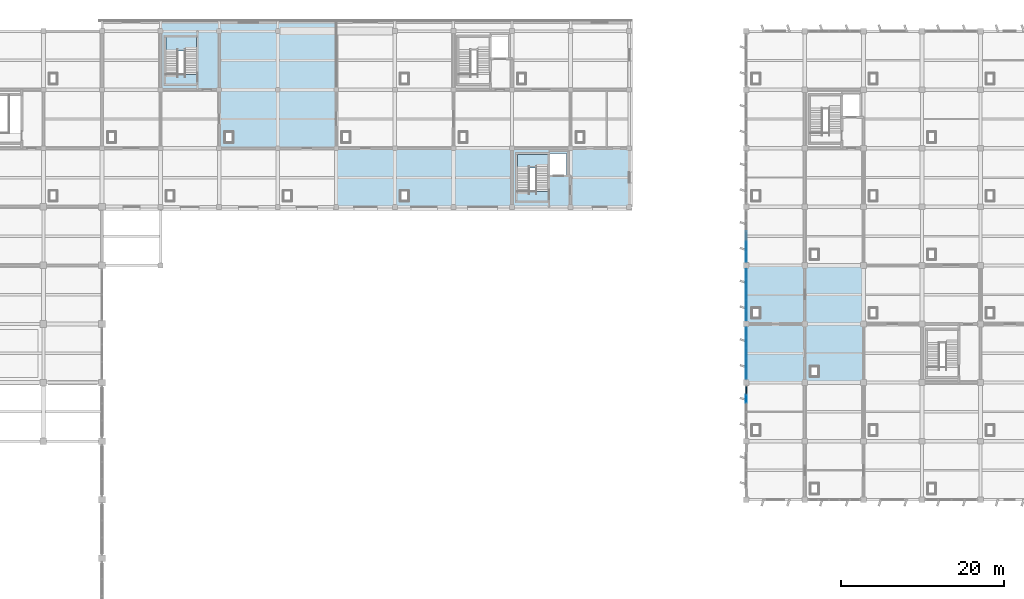
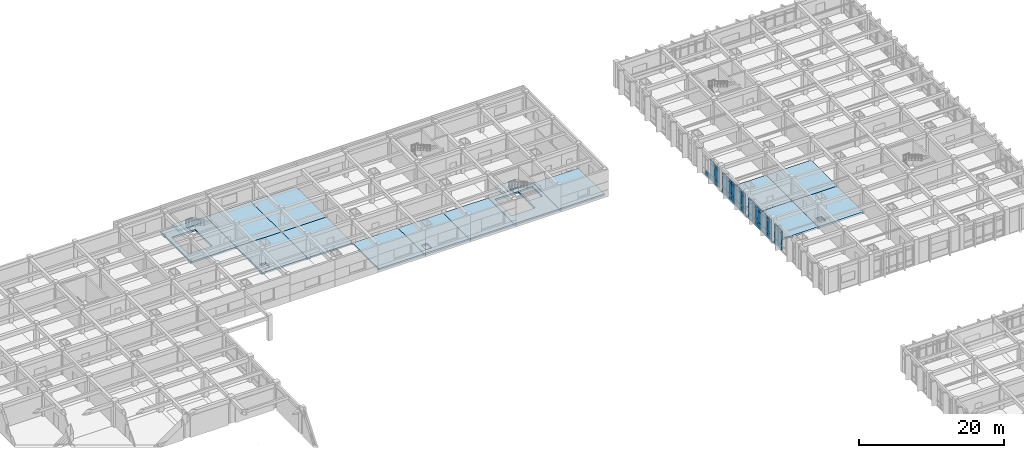
# One storey, part 39 of 70: 43 plates, 16 slabs, 6 elements without a shape of their own.
"""IFC4 building model written with IfcOpenShell, lengths in metres."""

from ifc_helpers import new_model, si_unit, direction, frame, origin, origin_2d, place, context, subcontext, project, spatial, polyline, rectangle, outline, extrude, material, layer, layer_set, type_object, element, aggregate, save


model = new_model("IFC4")

# Units and contexts
model_context = context("Model", 3, precision=1e-05, world=origin(), true_north=direction((0.0, 1.0)))
body_context = subcontext(model_context, "Body", "Model", "MODEL_VIEW")
ifc_project = project(units=[si_unit("LENGTHUNIT", "METRE"), si_unit("AREAUNIT", "SQUARE_METRE"), si_unit("VOLUMEUNIT", "CUBIC_METRE"), si_unit("PLANEANGLEUNIT", "RADIAN"), si_unit("MASSUNIT", "GRAM", prefix="KILO")], contexts=[model_context])

# Site, building, storey
site_placement = place(None, origin())
site = spatial("IfcSite", under=ifc_project, at=site_placement, CompositionType="ELEMENT")
building_placement = place(site_placement, origin())
building = spatial("IfcBuilding", under=site, at=building_placement, Name="Kavelor Marine Aquarium", CompositionType="ELEMENT")
storey_placement = place(building_placement, frame((0.0, 0.0, 9.179931640625)))
storey = spatial("IfcBuildingStorey", under=building, at=storey_placement, Name="L02", CompositionType="ELEMENT", Elevation=9.179931640625)

# Curtain wall, plates
ifc_material_1 = material(Name="Thermally Broken Aluminium and Low-E Glass", Category="aluminium")
ifc_layer_1 = layer(ifc_material_1, 0.179931640625)
ifc_layer_set_1 = layer_set([ifc_layer_1], Name="CW-SYS5")
curtain_wall_type_1 = type_object("IfcCurtainWallType", Name="CW-SYS5", PredefinedType="USERDEFINED", material=ifc_layer_set_1)
curtain_wall_1_placement = place(storey_placement, origin())
curtain_wall_1 = element("IfcCurtainWall", 1, at=curtain_wall_1_placement, inside=storey, type_object=curtain_wall_type_1, Name="cw:y:L02:16_08", ObjectType="Curtain Wall", PredefinedType="USERDEFINED")
ifc_material_2 = material(Name="Solar-Control Double Low-E Glazing", Category="glass")
ifc_layer_2 = layer(ifc_material_2, 0.08203125)
ifc_layer_set_2 = layer_set([ifc_layer_2], Name="CWP-29")
plate_type_1 = type_object("IfcPlateType", Name="CWP-29", PredefinedType="CURTAIN_PANEL", material=ifc_layer_set_2)
plate_1_placement = place(storey_placement, frame((118.39990234375, 66.654541015625, 0.06005859375), z_axis=(0.0, 0.0, 1.0), x_axis=(0.0, -1.0, 0.0)))
plate_1 = element("IfcPlate", 2, at=plate_1_placement, type_object=plate_type_1, Name="CW05 panel 1.1", PredefinedType="CURTAIN_PANEL", context=body_context, shape_type="SweptSolid", body=[
    extrude(rectangle(XDim=0.970947265625, YDim=0.08203125, at=origin_2d()), origin(), (0.0, 0.0, 1.0), 0.81005859375),
])
plate_2_placement = place(storey_placement, frame((118.39990234375, 66.654541015625, 0.929931640625), z_axis=(0.0, 0.0, 1.0), x_axis=(0.0, -1.0, 0.0)))
plate_2 = element("IfcPlate", 3, at=plate_2_placement, type_object=plate_type_1, Name="CW05 panel 1.2", PredefinedType="CURTAIN_PANEL", context=body_context, shape_type="SweptSolid", body=[
    extrude(rectangle(XDim=0.970947265625, YDim=0.08203125, at=origin_2d()), origin(), (0.0, 0.0, 1.0), 1.85009765625),
])
plate_3_placement = place(storey_placement, frame((118.39990234375, 66.654541015625, 2.840087890625), z_axis=(0.0, 0.0, 1.0), x_axis=(0.0, -1.0, 0.0)))
plate_3 = element("IfcPlate", 4, at=plate_3_placement, type_object=plate_type_1, Name="CW05 panel 1.3", PredefinedType="CURTAIN_PANEL", context=body_context, shape_type="SweptSolid", body=[
    extrude(rectangle(XDim=0.970947265625, YDim=0.08203125, at=origin_2d()), origin(), (0.0, 0.0, 1.0), 0.56005859375),
])
plate_4_placement = place(storey_placement, frame((118.39990234375, 65.6025390625, 0.06005859375), z_axis=(0.0, 0.0, 1.0), x_axis=(0.0, -1.0, 0.0)))
plate_4 = element("IfcPlate", 5, at=plate_4_placement, type_object=plate_type_1, Name="CW05 panel 2.1", PredefinedType="CURTAIN_PANEL", context=body_context, shape_type="SweptSolid", body=[
    extrude(rectangle(XDim=1.00341796875, YDim=0.08203125, at=origin_2d()), origin(), (0.0, 0.0, 1.0), 0.81005859375),
])
plate_5_placement = place(storey_placement, frame((118.39990234375, 65.6025390625, 0.929931640625), z_axis=(0.0, 0.0, 1.0), x_axis=(0.0, -1.0, 0.0)))
plate_5 = element("IfcPlate", 6, at=plate_5_placement, type_object=plate_type_1, Name="CW05 panel 2.2", PredefinedType="CURTAIN_PANEL", context=body_context, shape_type="SweptSolid", body=[
    extrude(rectangle(XDim=1.00341796875, YDim=0.08203125, at=origin_2d()), origin(), (0.0, 0.0, 1.0), 1.85009765625),
])
plate_6_placement = place(storey_placement, frame((118.39990234375, 65.6025390625, 2.840087890625), z_axis=(0.0, 0.0, 1.0), x_axis=(0.0, -1.0, 0.0)))
plate_6 = element("IfcPlate", 7, at=plate_6_placement, type_object=plate_type_1, Name="CW05 panel 2.3", PredefinedType="CURTAIN_PANEL", context=body_context, shape_type="SweptSolid", body=[
    extrude(rectangle(XDim=1.00341796875, YDim=0.08203125, at=origin_2d()), origin(), (0.0, 0.0, 1.0), 0.56005859375),
])
aggregate(curtain_wall_1, [plate_1, plate_2, plate_3, plate_4, plate_5, plate_6])

ifc_material_3 = material(Name="Thermally Broken Aluminium and Low-E Glass", Category="aluminium")
ifc_layer_3 = layer(ifc_material_3, 0.18798828125)
ifc_layer_set_3 = layer_set([ifc_layer_3], Name="CW-SYS6")
curtain_wall_type_2 = type_object("IfcCurtainWallType", Name="CW-SYS6", PredefinedType="USERDEFINED", material=ifc_layer_set_3)
curtain_wall_2_placement = place(storey_placement, origin())
curtain_wall_2 = element("IfcCurtainWall", 8, at=curtain_wall_2_placement, inside=storey, type_object=curtain_wall_type_2, Name="cw:y:L02:16_09", ObjectType="Curtain Wall", PredefinedType="USERDEFINED")
ifc_material_4 = material(Name="Solar-Control Double Low-E Glazing", Category="glass")
ifc_layer_4 = layer(ifc_material_4, 0.083984375)
ifc_layer_set_4 = layer_set([ifc_layer_4], Name="CWP-30")
plate_type_2 = type_object("IfcPlateType", Name="CWP-30", PredefinedType="CURTAIN_PANEL", material=ifc_layer_set_4)
plate_7_placement = place(storey_placement, frame((118.39990234375, 73.7490234375, 0.074951171875), z_axis=(0.0, 0.0, 1.0), x_axis=(0.0, -1.0, 0.0)))
plate_7 = element("IfcPlate", 9, at=plate_7_placement, type_object=plate_type_2, Name="CW06 panel 1.1", PredefinedType="CURTAIN_PANEL", context=body_context, shape_type="SweptSolid", body=[
    extrude(rectangle(XDim=1.19189453125, YDim=0.083984375, at=origin_2d()), origin(), (0.0, 0.0, 1.0), 0.78759765625),
])
plate_8_placement = place(storey_placement, frame((118.39990234375, 73.7490234375, 0.9375), z_axis=(0.0, 0.0, 1.0), x_axis=(0.0, -1.0, 0.0)))
plate_8 = element("IfcPlate", 10, at=plate_8_placement, type_object=plate_type_2, Name="CW06 panel 1.2", PredefinedType="CURTAIN_PANEL", context=body_context, shape_type="SweptSolid", body=[
    extrude(rectangle(XDim=1.19189453125, YDim=0.083984375, at=origin_2d()), origin(), (0.0, 0.0, 1.0), 1.85498046875),
])
plate_9_placement = place(storey_placement, frame((118.39990234375, 73.7490234375, 2.867431640625), z_axis=(0.0, 0.0, 1.0), x_axis=(0.0, -1.0, 0.0)))
plate_9 = element("IfcPlate", 11, at=plate_9_placement, type_object=plate_type_2, Name="CW06 panel 1.3", PredefinedType="CURTAIN_PANEL", context=body_context, shape_type="SweptSolid", body=[
    extrude(rectangle(XDim=1.19189453125, YDim=0.083984375, at=origin_2d()), origin(), (0.0, 0.0, 1.0), 0.53759765625),
])
plate_10_placement = place(storey_placement, frame((118.39990234375, 72.48193359375, 0.074951171875), z_axis=(0.0, 0.0, 1.0), x_axis=(0.0, -1.0, 0.0)))
plate_10 = element("IfcPlate", 12, at=plate_10_placement, type_object=plate_type_2, Name="CW06 panel 2.1", PredefinedType="CURTAIN_PANEL", context=body_context, shape_type="SweptSolid", body=[
    extrude(rectangle(XDim=1.221923828125, YDim=0.083984375, at=origin_2d()), origin(), (0.0, 0.0, 1.0), 0.78759765625),
])
plate_11_placement = place(storey_placement, frame((118.39990234375, 72.48193359375, 0.9375), z_axis=(0.0, 0.0, 1.0), x_axis=(0.0, -1.0, 0.0)))
plate_11 = element("IfcPlate", 13, at=plate_11_placement, type_object=plate_type_2, Name="CW06 panel 2.2", PredefinedType="CURTAIN_PANEL", context=body_context, shape_type="SweptSolid", body=[
    extrude(rectangle(XDim=1.221923828125, YDim=0.083984375, at=origin_2d()), origin(), (0.0, 0.0, 1.0), 1.85498046875),
])
plate_12_placement = place(storey_placement, frame((118.39990234375, 72.48193359375, 2.867431640625), z_axis=(0.0, 0.0, 1.0), x_axis=(0.0, -1.0, 0.0)))
plate_12 = element("IfcPlate", 14, at=plate_12_placement, type_object=plate_type_2, Name="CW06 panel 2.3", PredefinedType="CURTAIN_PANEL", context=body_context, shape_type="SweptSolid", body=[
    extrude(rectangle(XDim=1.221923828125, YDim=0.083984375, at=origin_2d()), origin(), (0.0, 0.0, 1.0), 0.53759765625),
])
plate_13_placement = place(storey_placement, frame((118.39990234375, 71.199951171875, 0.074951171875), z_axis=(0.0, 0.0, 1.0), x_axis=(0.0, -1.0, 0.0)))
plate_13 = element("IfcPlate", 15, at=plate_13_placement, type_object=plate_type_2, Name="CW06 panel 3.1", PredefinedType="CURTAIN_PANEL", context=body_context, shape_type="SweptSolid", body=[
    extrude(rectangle(XDim=1.221923828125, YDim=0.083984375, at=origin_2d()), origin(), (0.0, 0.0, 1.0), 0.78759765625),
])
plate_14_placement = place(storey_placement, frame((118.39990234375, 71.199951171875, 0.9375), z_axis=(0.0, 0.0, 1.0), x_axis=(0.0, -1.0, 0.0)))
plate_14 = element("IfcPlate", 16, at=plate_14_placement, type_object=plate_type_2, Name="CW06 panel 3.2", PredefinedType="CURTAIN_PANEL", context=body_context, shape_type="SweptSolid", body=[
    extrude(rectangle(XDim=1.221923828125, YDim=0.083984375, at=origin_2d()), origin(), (0.0, 0.0, 1.0), 1.85498046875),
])
plate_15_placement = place(storey_placement, frame((118.39990234375, 71.199951171875, 2.867431640625), z_axis=(0.0, 0.0, 1.0), x_axis=(0.0, -1.0, 0.0)))
plate_15 = element("IfcPlate", 17, at=plate_15_placement, type_object=plate_type_2, Name="CW06 panel 3.3", PredefinedType="CURTAIN_PANEL", context=body_context, shape_type="SweptSolid", body=[
    extrude(rectangle(XDim=1.221923828125, YDim=0.083984375, at=origin_2d()), origin(), (0.0, 0.0, 1.0), 0.53759765625),
])
plate_16_placement = place(storey_placement, frame((118.39990234375, 69.91796875, 0.074951171875), z_axis=(0.0, 0.0, 1.0), x_axis=(0.0, -1.0, 0.0)))
plate_16 = element("IfcPlate", 18, at=plate_16_placement, type_object=plate_type_2, Name="CW06 panel 4.1", PredefinedType="CURTAIN_PANEL", context=body_context, shape_type="SweptSolid", body=[
    extrude(rectangle(XDim=1.221923828125, YDim=0.083984375, at=origin_2d()), origin(), (0.0, 0.0, 1.0), 0.78759765625),
])
plate_17_placement = place(storey_placement, frame((118.39990234375, 69.91796875, 0.9375), z_axis=(0.0, 0.0, 1.0), x_axis=(0.0, -1.0, 0.0)))
plate_17 = element("IfcPlate", 19, at=plate_17_placement, type_object=plate_type_2, Name="CW06 panel 4.2", PredefinedType="CURTAIN_PANEL", context=body_context, shape_type="SweptSolid", body=[
    extrude(rectangle(XDim=1.221923828125, YDim=0.083984375, at=origin_2d()), origin(), (0.0, 0.0, 1.0), 1.85498046875),
])
plate_18_placement = place(storey_placement, frame((118.39990234375, 69.91796875, 2.867431640625), z_axis=(0.0, 0.0, 1.0), x_axis=(0.0, -1.0, 0.0)))
plate_18 = element("IfcPlate", 20, at=plate_18_placement, type_object=plate_type_2, Name="CW06 panel 4.3", PredefinedType="CURTAIN_PANEL", context=body_context, shape_type="SweptSolid", body=[
    extrude(rectangle(XDim=1.221923828125, YDim=0.083984375, at=origin_2d()), origin(), (0.0, 0.0, 1.0), 0.53759765625),
])
plate_19_placement = place(storey_placement, frame((118.39990234375, 68.65087890625, 0.074951171875), z_axis=(0.0, 0.0, 1.0), x_axis=(0.0, -1.0, 0.0)))
plate_19 = element("IfcPlate", 21, at=plate_19_placement, type_object=plate_type_2, Name="CW06 panel 5.1", PredefinedType="CURTAIN_PANEL", context=body_context, shape_type="SweptSolid", body=[
    extrude(rectangle(XDim=1.19189453125, YDim=0.083984375, at=origin_2d()), origin(), (0.0, 0.0, 1.0), 0.78759765625),
])
plate_20_placement = place(storey_placement, frame((118.39990234375, 68.65087890625, 0.9375), z_axis=(0.0, 0.0, 1.0), x_axis=(0.0, -1.0, 0.0)))
plate_20 = element("IfcPlate", 22, at=plate_20_placement, type_object=plate_type_2, Name="CW06 panel 5.2", PredefinedType="CURTAIN_PANEL", context=body_context, shape_type="SweptSolid", body=[
    extrude(rectangle(XDim=1.19189453125, YDim=0.083984375, at=origin_2d()), origin(), (0.0, 0.0, 1.0), 1.85498046875),
])
plate_21_placement = place(storey_placement, frame((118.39990234375, 68.65087890625, 2.867431640625), z_axis=(0.0, 0.0, 1.0), x_axis=(0.0, -1.0, 0.0)))
plate_21 = element("IfcPlate", 23, at=plate_21_placement, type_object=plate_type_2, Name="CW06 panel 5.3", PredefinedType="CURTAIN_PANEL", context=body_context, shape_type="SweptSolid", body=[
    extrude(rectangle(XDim=1.19189453125, YDim=0.083984375, at=origin_2d()), origin(), (0.0, 0.0, 1.0), 0.53759765625),
])
aggregate(curtain_wall_2, [plate_7, plate_8, plate_9, plate_10, plate_11, plate_12, plate_13, plate_14, plate_15, plate_16, plate_17, plate_18, plate_19, plate_20, plate_21])

ifc_material_5 = material(Name="Thermally Broken Aluminium and Low-E Glass", Category="aluminium")
ifc_layer_5 = layer(ifc_material_5, 0.196044921875)
ifc_layer_set_5 = layer_set([ifc_layer_5], Name="CW-SYS7")
curtain_wall_type_3 = type_object("IfcCurtainWallType", Name="CW-SYS7", PredefinedType="USERDEFINED", material=ifc_layer_set_5)
curtain_wall_3_placement = place(storey_placement, origin())
curtain_wall_3 = element("IfcCurtainWall", 24, at=curtain_wall_3_placement, inside=storey, type_object=curtain_wall_type_3, Name="cw:y:L02:16_10", ObjectType="Curtain Wall", PredefinedType="USERDEFINED")
ifc_material_6 = material(Name="Laminated Cast Acrylic Viewing Glazing", Category="glass")
ifc_layer_6 = layer(ifc_material_6, 0.0859375)
ifc_layer_set_6 = layer_set([ifc_layer_6], Name="CWP-31")
plate_type_3 = type_object("IfcPlateType", Name="CWP-31", PredefinedType="CURTAIN_PANEL", material=ifc_layer_set_6)
plate_22_placement = place(storey_placement, frame((118.39990234375, 80.9453125, 0.074951171875), z_axis=(0.0, 0.0, 1.0), x_axis=(0.0, -1.0, 0.0)))
plate_22 = element("IfcPlate", 25, at=plate_22_placement, type_object=plate_type_3, Name="CW07 panel 1.1", PredefinedType="CURTAIN_PANEL", context=body_context, shape_type="SweptSolid", body=[
    extrude(rectangle(XDim=1.16943359375, YDim=0.0859375, at=origin_2d()), origin(), (0.0, 0.0, 1.0), 0.78759765625),
])
plate_23_placement = place(storey_placement, frame((118.39990234375, 80.9453125, 0.9375), z_axis=(0.0, 0.0, 1.0), x_axis=(0.0, -1.0, 0.0)))
plate_23 = element("IfcPlate", 26, at=plate_23_placement, type_object=plate_type_3, Name="CW07 panel 1.2", PredefinedType="CURTAIN_PANEL", context=body_context, shape_type="SweptSolid", body=[
    extrude(rectangle(XDim=1.16943359375, YDim=0.0859375, at=origin_2d()), origin(), (0.0, 0.0, 1.0), 1.8349609375),
])
plate_24_placement = place(storey_placement, frame((118.39990234375, 80.9453125, 2.847412109375), z_axis=(0.0, 0.0, 1.0), x_axis=(0.0, -1.0, 0.0)))
plate_24 = element("IfcPlate", 27, at=plate_24_placement, type_object=plate_type_3, Name="CW07 panel 1.3", PredefinedType="CURTAIN_PANEL", context=body_context, shape_type="SweptSolid", body=[
    extrude(rectangle(XDim=1.16943359375, YDim=0.0859375, at=origin_2d()), origin(), (0.0, 0.0, 1.0), 0.53759765625),
])
plate_25_placement = place(storey_placement, frame((118.39990234375, 79.681884765625, 0.074951171875), z_axis=(0.0, 0.0, 1.0), x_axis=(0.0, -1.0, 0.0)))
plate_25 = element("IfcPlate", 28, at=plate_25_placement, type_object=plate_type_3, Name="CW07 panel 2.1", PredefinedType="CURTAIN_PANEL", context=body_context, shape_type="SweptSolid", body=[
    extrude(rectangle(XDim=1.20703125, YDim=0.0859375, at=origin_2d()), origin(), (0.0, 0.0, 1.0), 0.78759765625),
])
plate_26_placement = place(storey_placement, frame((118.39990234375, 79.681884765625, 0.9375), z_axis=(0.0, 0.0, 1.0), x_axis=(0.0, -1.0, 0.0)))
plate_26 = element("IfcPlate", 29, at=plate_26_placement, type_object=plate_type_3, Name="CW07 panel 2.2", PredefinedType="CURTAIN_PANEL", context=body_context, shape_type="SweptSolid", body=[
    extrude(rectangle(XDim=1.20703125, YDim=0.0859375, at=origin_2d()), origin(), (0.0, 0.0, 1.0), 1.8349609375),
])
plate_27_placement = place(storey_placement, frame((118.39990234375, 79.681884765625, 2.847412109375), z_axis=(0.0, 0.0, 1.0), x_axis=(0.0, -1.0, 0.0)))
plate_27 = element("IfcPlate", 30, at=plate_27_placement, type_object=plate_type_3, Name="CW07 panel 2.3", PredefinedType="CURTAIN_PANEL", context=body_context, shape_type="SweptSolid", body=[
    extrude(rectangle(XDim=1.20703125, YDim=0.0859375, at=origin_2d()), origin(), (0.0, 0.0, 1.0), 0.53759765625),
])
plate_28_placement = place(storey_placement, frame((118.39990234375, 78.39990234375, 0.074951171875), z_axis=(0.0, 0.0, 1.0), x_axis=(0.0, -1.0, 0.0)))
plate_28 = element("IfcPlate", 31, at=plate_28_placement, type_object=plate_type_3, Name="CW07 panel 3.1", PredefinedType="CURTAIN_PANEL", context=body_context, shape_type="SweptSolid", body=[
    extrude(rectangle(XDim=1.20703125, YDim=0.0859375, at=origin_2d()), origin(), (0.0, 0.0, 1.0), 0.78759765625),
])
plate_29_placement = place(storey_placement, frame((118.39990234375, 78.39990234375, 0.9375), z_axis=(0.0, 0.0, 1.0), x_axis=(0.0, -1.0, 0.0)))
plate_29 = element("IfcPlate", 32, at=plate_29_placement, type_object=plate_type_3, Name="CW07 panel 3.2", PredefinedType="CURTAIN_PANEL", context=body_context, shape_type="SweptSolid", body=[
    extrude(rectangle(XDim=1.20703125, YDim=0.0859375, at=origin_2d()), origin(), (0.0, 0.0, 1.0), 1.8349609375),
])
plate_30_placement = place(storey_placement, frame((118.39990234375, 78.39990234375, 2.847412109375), z_axis=(0.0, 0.0, 1.0), x_axis=(0.0, -1.0, 0.0)))
plate_30 = element("IfcPlate", 33, at=plate_30_placement, type_object=plate_type_3, Name="CW07 panel 3.3", PredefinedType="CURTAIN_PANEL", context=body_context, shape_type="SweptSolid", body=[
    extrude(rectangle(XDim=1.20703125, YDim=0.0859375, at=origin_2d()), origin(), (0.0, 0.0, 1.0), 0.53759765625),
])
plate_31_placement = place(storey_placement, frame((118.39990234375, 77.117919921875, 0.074951171875), z_axis=(0.0, 0.0, 1.0), x_axis=(0.0, -1.0, 0.0)))
plate_31 = element("IfcPlate", 34, at=plate_31_placement, type_object=plate_type_3, Name="CW07 panel 4.1", PredefinedType="CURTAIN_PANEL", context=body_context, shape_type="SweptSolid", body=[
    extrude(rectangle(XDim=1.20703125, YDim=0.0859375, at=origin_2d()), origin(), (0.0, 0.0, 1.0), 0.78759765625),
])
plate_32_placement = place(storey_placement, frame((118.39990234375, 77.117919921875, 0.9375), z_axis=(0.0, 0.0, 1.0), x_axis=(0.0, -1.0, 0.0)))
plate_32 = element("IfcPlate", 35, at=plate_32_placement, type_object=plate_type_3, Name="CW07 panel 4.2", PredefinedType="CURTAIN_PANEL", context=body_context, shape_type="SweptSolid", body=[
    extrude(rectangle(XDim=1.20703125, YDim=0.0859375, at=origin_2d()), origin(), (0.0, 0.0, 1.0), 1.8349609375),
])
plate_33_placement = place(storey_placement, frame((118.39990234375, 77.117919921875, 2.847412109375), z_axis=(0.0, 0.0, 1.0), x_axis=(0.0, -1.0, 0.0)))
plate_33 = element("IfcPlate", 36, at=plate_33_placement, type_object=plate_type_3, Name="CW07 panel 4.3", PredefinedType="CURTAIN_PANEL", context=body_context, shape_type="SweptSolid", body=[
    extrude(rectangle(XDim=1.20703125, YDim=0.0859375, at=origin_2d()), origin(), (0.0, 0.0, 1.0), 0.53759765625),
])
plate_34_placement = place(storey_placement, frame((118.39990234375, 75.854736328125, 0.074951171875), z_axis=(0.0, 0.0, 1.0), x_axis=(0.0, -1.0, 0.0)))
plate_34 = element("IfcPlate", 37, at=plate_34_placement, type_object=plate_type_3, Name="CW07 panel 5.1", PredefinedType="CURTAIN_PANEL", context=body_context, shape_type="SweptSolid", body=[
    extrude(rectangle(XDim=1.16943359375, YDim=0.0859375, at=origin_2d()), origin(), (0.0, 0.0, 1.0), 0.78759765625),
])
plate_35_placement = place(storey_placement, frame((118.39990234375, 75.854736328125, 0.9375), z_axis=(0.0, 0.0, 1.0), x_axis=(0.0, -1.0, 0.0)))
plate_35 = element("IfcPlate", 38, at=plate_35_placement, type_object=plate_type_3, Name="CW07 panel 5.2", PredefinedType="CURTAIN_PANEL", context=body_context, shape_type="SweptSolid", body=[
    extrude(rectangle(XDim=1.16943359375, YDim=0.0859375, at=origin_2d()), origin(), (0.0, 0.0, 1.0), 1.8349609375),
])
plate_36_placement = place(storey_placement, frame((118.39990234375, 75.854736328125, 2.847412109375), z_axis=(0.0, 0.0, 1.0), x_axis=(0.0, -1.0, 0.0)))
plate_36 = element("IfcPlate", 39, at=plate_36_placement, type_object=plate_type_3, Name="CW07 panel 5.3", PredefinedType="CURTAIN_PANEL", context=body_context, shape_type="SweptSolid", body=[
    extrude(rectangle(XDim=1.16943359375, YDim=0.0859375, at=origin_2d()), origin(), (0.0, 0.0, 1.0), 0.53759765625),
])
aggregate(curtain_wall_3, [plate_22, plate_23, plate_24, plate_25, plate_26, plate_27, plate_28, plate_29, plate_30, plate_31, plate_32, plate_33, plate_34, plate_35, plate_36])

ifc_material_7 = material(Name="Thermally Broken Aluminium and Low-E Glass", Category="aluminium")
ifc_layer_7 = layer(ifc_material_7, 0.2041015625)
ifc_layer_set_7 = layer_set([ifc_layer_7], Name="CW-SYS8")
curtain_wall_type_4 = type_object("IfcCurtainWallType", Name="CW-SYS8", PredefinedType="USERDEFINED", material=ifc_layer_set_7)
curtain_wall_4_placement = place(storey_placement, origin())
curtain_wall_4 = element("IfcCurtainWall", 40, at=curtain_wall_4_placement, inside=storey, type_object=curtain_wall_type_4, Name="cw:y:L02:16_11", ObjectType="Curtain Wall", PredefinedType="USERDEFINED")
ifc_material_8 = material(Name="Laminated Cast Acrylic Viewing Glazing", Category="glass")
ifc_layer_8 = layer(ifc_material_8, 0.087890625)
ifc_layer_set_8 = layer_set([ifc_layer_8], Name="CWP-32")
plate_type_4 = type_object("IfcPlateType", Name="CWP-32", PredefinedType="CURTAIN_PANEL", material=ifc_layer_set_8)
plate_37_placement = place(storey_placement, frame((118.39990234375, 85.60009765625, 0.06494140625), z_axis=(0.0, 0.0, 1.0), x_axis=(0.0, -1.0, 0.0)))
plate_37 = element("IfcPlate", 41, at=plate_37_placement, type_object=plate_type_4, Name="CW08 panel 3.1", PredefinedType="CURTAIN_PANEL", context=body_context, shape_type="SweptSolid", body=[
    extrude(rectangle(XDim=1.217041015625, YDim=0.087890625, at=origin_2d()), origin(), (0.0, 0.0, 1.0), 0.802490234375),
])
plate_38_placement = place(storey_placement, frame((118.39990234375, 84.318115234375, 0.06494140625), z_axis=(0.0, 0.0, 1.0), x_axis=(0.0, -1.0, 0.0)))
plate_38 = element("IfcPlate", 42, at=plate_38_placement, type_object=plate_type_4, Name="CW08 panel 4.1", PredefinedType="CURTAIN_PANEL", context=body_context, shape_type="SweptSolid", body=[
    extrude(rectangle(XDim=1.217041015625, YDim=0.087890625, at=origin_2d()), origin(), (0.0, 0.0, 1.0), 0.802490234375),
])
plate_39_placement = place(storey_placement, frame((118.39990234375, 84.318115234375, 0.9326171875), z_axis=(0.0, 0.0, 1.0), x_axis=(0.0, -1.0, 0.0)))
plate_39 = element("IfcPlate", 43, at=plate_39_placement, type_object=plate_type_4, Name="CW08 panel 4.2", PredefinedType="CURTAIN_PANEL", context=body_context, shape_type="SweptSolid", body=[
    extrude(rectangle(XDim=1.217041015625, YDim=0.087890625, at=origin_2d()), origin(), (0.0, 0.0, 1.0), 1.864990234375),
])
plate_40_placement = place(storey_placement, frame((118.39990234375, 84.318115234375, 2.86279296875), z_axis=(0.0, 0.0, 1.0), x_axis=(0.0, -1.0, 0.0)))
plate_40 = element("IfcPlate", 44, at=plate_40_placement, type_object=plate_type_4, Name="CW08 panel 4.3", PredefinedType="CURTAIN_PANEL", context=body_context, shape_type="SweptSolid", body=[
    extrude(rectangle(XDim=1.217041015625, YDim=0.087890625, at=origin_2d()), origin(), (0.0, 0.0, 1.0), 0.552490234375),
])
plate_41_placement = place(storey_placement, frame((118.39990234375, 83.05224609375, 0.06494140625), z_axis=(0.0, 0.0, 1.0), x_axis=(0.0, -1.0, 0.0)))
plate_41 = element("IfcPlate", 45, at=plate_41_placement, type_object=plate_type_4, Name="CW08 panel 5.1", PredefinedType="CURTAIN_PANEL", context=body_context, shape_type="SweptSolid", body=[
    extrude(rectangle(XDim=1.1845703125, YDim=0.087890625, at=origin_2d()), origin(), (0.0, 0.0, 1.0), 0.802490234375),
])
plate_42_placement = place(storey_placement, frame((118.39990234375, 83.05224609375, 0.9326171875), z_axis=(0.0, 0.0, 1.0), x_axis=(0.0, -1.0, 0.0)))
plate_42 = element("IfcPlate", 46, at=plate_42_placement, type_object=plate_type_4, Name="CW08 panel 5.2", PredefinedType="CURTAIN_PANEL", context=body_context, shape_type="SweptSolid", body=[
    extrude(rectangle(XDim=1.1845703125, YDim=0.087890625, at=origin_2d()), origin(), (0.0, 0.0, 1.0), 1.864990234375),
])
plate_43_placement = place(storey_placement, frame((118.39990234375, 83.05224609375, 2.86279296875), z_axis=(0.0, 0.0, 1.0), x_axis=(0.0, -1.0, 0.0)))
plate_43 = element("IfcPlate", 47, at=plate_43_placement, type_object=plate_type_4, Name="CW08 panel 5.3", PredefinedType="CURTAIN_PANEL", context=body_context, shape_type="SweptSolid", body=[
    extrude(rectangle(XDim=1.1845703125, YDim=0.087890625, at=origin_2d()), origin(), (0.0, 0.0, 1.0), 0.552490234375),
])
aggregate(curtain_wall_4, [plate_37, plate_38, plate_39, plate_40, plate_41, plate_42, plate_43])

# Stair, slab
ifc_material_9 = material(Name="Concrete C40/50", Category="concrete")
stair_type = type_object("IfcStairType", Name="ST-T3", PredefinedType="HALF_TURN_STAIR", material=ifc_material_9)
stair_1_placement = place(storey_placement, origin())
stair_1 = element("IfcStair", 48, at=stair_1_placement, inside=storey, type_object=stair_type, Name="Exit Stair ST05 (L02)", PredefinedType="HALF_TURN_STAIR")
ifc_material_10 = material(Name="Concrete C40/50", Category="concrete")
ifc_layer_9 = layer(ifc_material_10, 0.199951171875)
ifc_layer_set_9 = layer_set([ifc_layer_9], Name="LND-T3")
slab_type_1 = type_object("IfcSlabType", Name="LND-T3", PredefinedType="LANDING", material=ifc_layer_set_9)
slab_1_placement = place(storey_placement, frame((0.0, 0.0, 1.9599609375)))
slab_1 = element("IfcSlab", 49, at=slab_1_placement, type_object=slab_type_1, Name="ST05 landing 1", PredefinedType="LANDING", context=body_context, shape_type="SweptSolid", body=[
    extrude(outline(polyline([(47.06005859375, 108.364013671875), (50.820068359375, 108.364013671875), (50.820068359375, 110.06005859375), (47.06005859375, 110.06005859375), (47.06005859375, 108.364013671875)])), origin(), (0.0, 0.0, 1.0), 0.2001953125),
])
aggregate(stair_1, [slab_1])

stair_2_placement = place(storey_placement, origin())
stair_2 = element("IfcStair", 50, at=stair_2_placement, inside=storey, type_object=stair_type, Name="Exit Stair ST07 (L02)", PredefinedType="HALF_TURN_STAIR")
slab_2_placement = place(storey_placement, frame((0.0, 0.0, 1.9599609375)))
slab_2 = element("IfcSlab", 51, at=slab_2_placement, type_object=slab_type_1, Name="ST07 landing 1", PredefinedType="LANDING", context=body_context, shape_type="SweptSolid", body=[
    extrude(outline(polyline([(90.260009765625, 93.964111328125), (94.02001953125, 93.964111328125), (94.02001953125, 95.659912109375), (90.260009765625, 95.659912109375), (90.260009765625, 93.964111328125)])), origin(), (0.0, 0.0, 1.0), 0.2001953125),
])
aggregate(stair_2, [slab_2])

# Slabs
ifc_material_11 = material(Name="Concrete C40/50", Category="concrete")
ifc_layer_10 = layer(ifc_material_11, 0.300048828125)
ifc_layer_set_10 = layer_set([ifc_layer_10], Name="SL-FL1")
slab_type_2 = type_object("IfcSlabType", Name="SL-FL1", PredefinedType="FLOOR", material=ifc_layer_set_10)
slab_3_placement = place(storey_placement, frame((0.0, 0.0, -0.300048828125)))
element("IfcSlab", 52, at=slab_3_placement, inside=storey, type_object=slab_type_2, Name="slab:L02:06_14", PredefinedType="FLOOR", context=body_context, shape_type="SweptSolid", body=[
    extrude(outline(polyline([(46.39990234375, 103.60009765625), (53.60009765625, 103.60009765625), (53.60009765625, 112.0400390625), (46.39990234375, 112.0400390625), (46.39990234375, 103.60009765625)]), holes=[polyline([(47.080078125, 105.48291015625), (50.800048828125, 105.48291015625), (50.800048828125, 110.070068359375), (47.080078125, 110.070068359375), (47.080078125, 105.48291015625)])]), origin(), (0.0, 0.0, 1.0), 0.300048828125),
])
slab_4_placement = place(storey_placement, frame((0.0, 0.0, -0.300048828125)))
element("IfcSlab", 53, at=slab_4_placement, inside=storey, type_object=slab_type_2, Name="slab:L02:07_13", PredefinedType="FLOOR", context=body_context, shape_type="SweptSolid", body=[
    extrude(outline(polyline([(53.60009765625, 96.39990234375), (60.800048828125, 96.39990234375), (60.800048828125, 103.60009765625), (53.60009765625, 103.60009765625), (53.60009765625, 96.39990234375)]), holes=[polyline([(54.35009765625, 97.14990234375), (55.25, 97.14990234375), (55.25, 98.35009765625), (54.35009765625, 98.35009765625), (54.35009765625, 97.14990234375)])]), origin(), (0.0, 0.0, 1.0), 0.300048828125),
])
slab_5_placement = place(storey_placement, frame((0.0, 0.0, -0.300048828125)))
element("IfcSlab", 54, at=slab_5_placement, inside=storey, type_object=slab_type_2, Name="slab:L02:08_14", PredefinedType="FLOOR", context=body_context, shape_type="SweptSolid", body=[
    extrude(outline(polyline([(60.800048828125, 103.60009765625), (68.0, 103.60009765625), (68.0, 112.0400390625), (60.800048828125, 112.0400390625), (60.800048828125, 103.60009765625)])), origin(), (0.0, 0.0, 1.0), 0.300048828125),
])
slab_6_placement = place(storey_placement, frame((0.0, 0.0, -0.300048828125)))
element("IfcSlab", 55, at=slab_6_placement, inside=storey, type_object=slab_type_2, Name="slab:L02:10_12", PredefinedType="FLOOR", context=body_context, shape_type="SweptSolid", body=[
    extrude(outline(polyline([(75.199951171875, 89.199951171875), (82.39990234375, 89.199951171875), (82.39990234375, 96.39990234375), (75.199951171875, 96.39990234375), (75.199951171875, 89.199951171875)]), holes=[polyline([(75.949951171875, 89.949951171875), (76.85009765625, 89.949951171875), (76.85009765625, 91.14990234375), (75.949951171875, 91.14990234375), (75.949951171875, 89.949951171875)])]), origin(), (0.0, 0.0, 1.0), 0.300048828125),
])
slab_7_placement = place(storey_placement, frame((0.0, 0.0, -0.300048828125)))
element("IfcSlab", 56, at=slab_7_placement, inside=storey, type_object=slab_type_2, Name="slab:L02:12_12", PredefinedType="FLOOR", context=body_context, shape_type="SweptSolid", body=[
    extrude(outline(polyline([(89.60009765625, 89.199951171875), (96.800048828125, 89.199951171875), (96.800048828125, 96.39990234375), (89.60009765625, 96.39990234375), (89.60009765625, 89.199951171875)]), holes=[polyline([(90.280029296875, 91.0830078125), (94.0, 91.0830078125), (94.0, 95.669921875), (90.280029296875, 95.669921875), (90.280029296875, 91.0830078125)]), polyline([(94.260009765625, 93.050048828125), (96.300048828125, 93.050048828125), (96.300048828125, 95.75), (94.199951171875, 95.75), (94.260009765625, 93.050048828125)])]), origin(), (0.0, 0.0, 1.0), 0.300048828125),
])
slab_8_placement = place(storey_placement, frame((0.0, 0.0, -0.300048828125)))
element("IfcSlab", 57, at=slab_8_placement, inside=storey, type_object=slab_type_2, Name="slab:L02:16_10", PredefinedType="FLOOR", context=body_context, shape_type="SweptSolid", body=[
    extrude(outline(polyline([(118.39990234375, 74.800048828125), (125.60009765625, 74.800048828125), (125.60009765625, 82.0), (118.39990234375, 82.0), (118.39990234375, 74.800048828125)]), holes=[polyline([(119.14990234375, 75.550048828125), (120.050048828125, 75.550048828125), (120.050048828125, 76.75), (119.14990234375, 76.75), (119.14990234375, 75.550048828125)])]), origin(), (0.0, 0.0, 1.0), 0.300048828125),
])
slab_9_placement = place(storey_placement, frame((0.0, 0.0, -0.300048828125)))
element("IfcSlab", 58, at=slab_9_placement, inside=storey, type_object=slab_type_2, Name="slab:L02:17_09", PredefinedType="FLOOR", context=body_context, shape_type="SweptSolid", body=[
    extrude(outline(polyline([(125.60009765625, 67.60009765625), (132.800048828125, 67.60009765625), (132.800048828125, 74.800048828125), (125.60009765625, 74.800048828125), (125.60009765625, 67.60009765625)]), holes=[polyline([(126.35009765625, 68.35009765625), (127.25, 68.35009765625), (127.25, 69.550048828125), (126.35009765625, 69.550048828125), (126.35009765625, 68.35009765625)])]), origin(), (0.0, 0.0, 1.0), 0.300048828125),
])
ifc_material_12 = material(Name="Concrete C40/50", Category="concrete")
ifc_layer_11 = layer(ifc_material_12, 0.280029296875)
ifc_layer_set_11 = layer_set([ifc_layer_11], Name="SL-FL2")
slab_type_3 = type_object("IfcSlabType", Name="SL-FL2", PredefinedType="FLOOR", material=ifc_layer_set_11)
slab_10_placement = place(storey_placement, frame((0.0, 0.0, -0.280029296875)))
element("IfcSlab", 59, at=slab_10_placement, inside=storey, type_object=slab_type_3, Name="slab:L02:07_14", PredefinedType="FLOOR", context=body_context, shape_type="SweptSolid", body=[
    extrude(outline(polyline([(53.60009765625, 103.60009765625), (60.800048828125, 103.60009765625), (60.800048828125, 112.0400390625), (53.60009765625, 112.0400390625), (53.60009765625, 103.60009765625)])), origin(), (0.0, 0.0, 1.0), 0.280029296875),
])
slab_11_placement = place(storey_placement, frame((0.0, 0.0, -0.280029296875)))
element("IfcSlab", 60, at=slab_11_placement, inside=storey, type_object=slab_type_3, Name="slab:L02:08_13", PredefinedType="FLOOR", context=body_context, shape_type="SweptSolid", body=[
    extrude(outline(polyline([(60.800048828125, 96.39990234375), (68.0, 96.39990234375), (68.0, 103.60009765625), (60.800048828125, 103.60009765625), (60.800048828125, 96.39990234375)])), origin(), (0.0, 0.0, 1.0), 0.280029296875),
])
slab_12_placement = place(storey_placement, frame((0.0, 0.0, -0.280029296875)))
element("IfcSlab", 61, at=slab_12_placement, inside=storey, type_object=slab_type_3, Name="slab:L02:09_12", PredefinedType="FLOOR", context=body_context, shape_type="SweptSolid", body=[
    extrude(outline(polyline([(68.0, 89.199951171875), (75.199951171875, 89.199951171875), (75.199951171875, 96.39990234375), (68.0, 96.39990234375), (68.0, 89.199951171875)])), origin(), (0.0, 0.0, 1.0), 0.280029296875),
])
slab_13_placement = place(storey_placement, frame((0.0, 0.0, -0.280029296875)))
element("IfcSlab", 62, at=slab_13_placement, inside=storey, type_object=slab_type_3, Name="slab:L02:11_12", PredefinedType="FLOOR", context=body_context, shape_type="SweptSolid", body=[
    extrude(outline(polyline([(82.39990234375, 89.199951171875), (89.60009765625, 89.199951171875), (89.60009765625, 96.39990234375), (82.39990234375, 96.39990234375), (82.39990234375, 89.199951171875)])), origin(), (0.0, 0.0, 1.0), 0.280029296875),
])
slab_14_placement = place(storey_placement, frame((0.0, 0.0, -0.280029296875)))
element("IfcSlab", 63, at=slab_14_placement, inside=storey, type_object=slab_type_3, Name="slab:L02:13_12", PredefinedType="FLOOR", context=body_context, shape_type="SweptSolid", body=[
    extrude(outline(polyline([(96.800048828125, 89.199951171875), (104.0, 89.199951171875), (104.0, 96.39990234375), (96.800048828125, 96.39990234375), (96.800048828125, 89.199951171875)])), origin(), (0.0, 0.0, 1.0), 0.280029296875),
])
slab_15_placement = place(storey_placement, frame((0.0, 0.0, -0.280029296875)))
element("IfcSlab", 64, at=slab_15_placement, inside=storey, type_object=slab_type_3, Name="slab:L02:16_09", PredefinedType="FLOOR", context=body_context, shape_type="SweptSolid", body=[
    extrude(outline(polyline([(118.39990234375, 67.60009765625), (125.60009765625, 67.60009765625), (125.60009765625, 74.800048828125), (118.39990234375, 74.800048828125), (118.39990234375, 67.60009765625)])), origin(), (0.0, 0.0, 1.0), 0.280029296875),
])
slab_16_placement = place(storey_placement, frame((0.0, 0.0, -0.280029296875)))
element("IfcSlab", 65, at=slab_16_placement, inside=storey, type_object=slab_type_3, Name="slab:L02:17_10", PredefinedType="FLOOR", context=body_context, shape_type="SweptSolid", body=[
    extrude(outline(polyline([(125.60009765625, 74.800048828125), (132.800048828125, 74.800048828125), (132.800048828125, 82.0), (125.60009765625, 82.0), (125.60009765625, 74.800048828125)])), origin(), (0.0, 0.0, 1.0), 0.280029296875),
])

save(model, "model.ifc")
